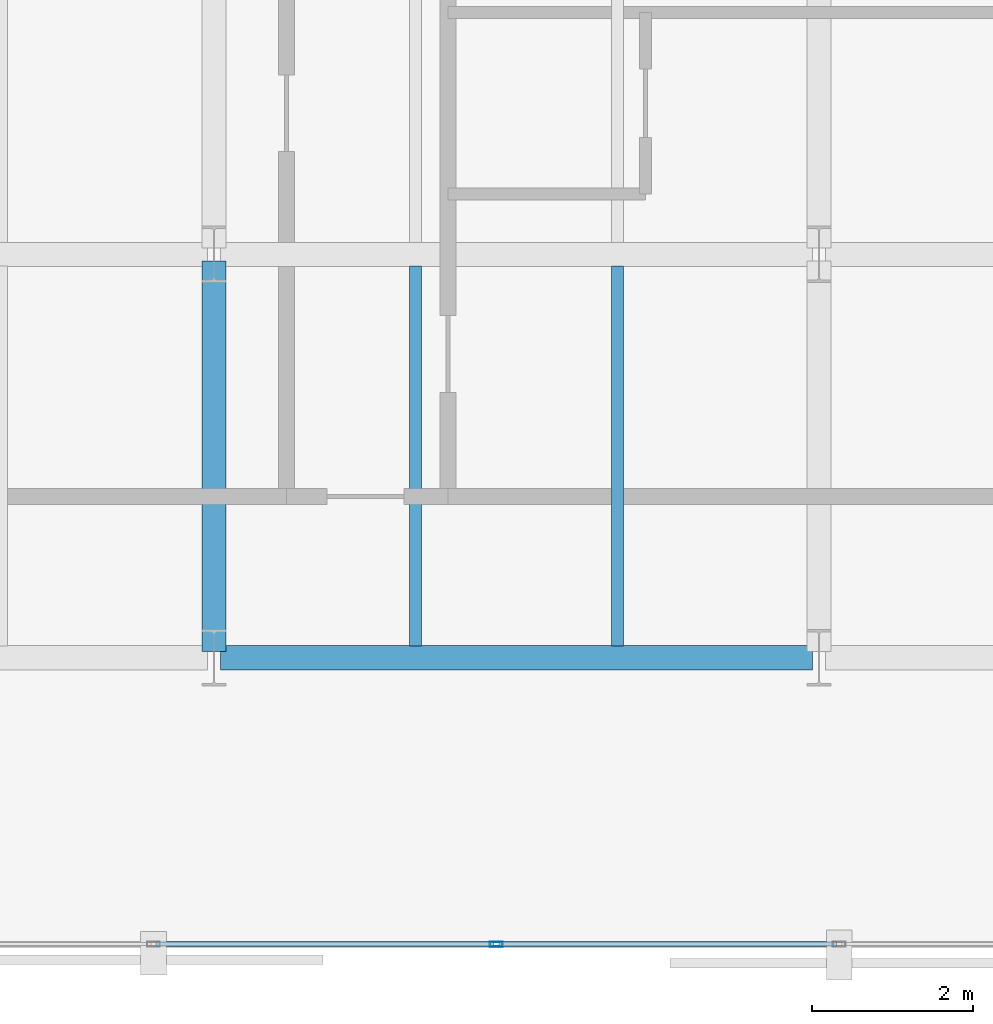
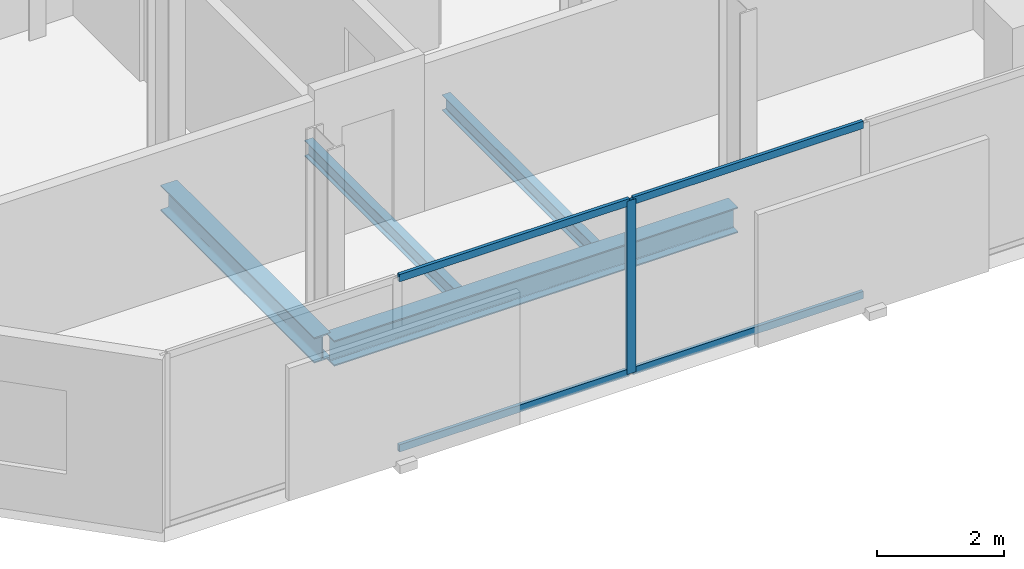
# One storey, part 4 of 34: 5 members, 4 beams, 1 element without a shape of its own.
"""IFC4 building model written with IfcOpenShell, lengths in metres."""

from ifc_helpers import new_model, si_unit, direction, frame, origin, origin_2d, place, context, subcontext, project, spatial, hollow_rectangle, i_section, extrude, material, layer, layer_set, material_profile, profile_set, type_object, element, aggregate, save


model = new_model("IFC4")

# Units and contexts
model_context = context("Model", 3, precision=1e-05, world=origin(), true_north=direction((0.0, 1.0)))
body_context = subcontext(model_context, "Body", "Model", "MODEL_VIEW")
ifc_project = project(units=[si_unit("LENGTHUNIT", "METRE"), si_unit("AREAUNIT", "SQUARE_METRE"), si_unit("VOLUMEUNIT", "CUBIC_METRE"), si_unit("PLANEANGLEUNIT", "RADIAN"), si_unit("MASSUNIT", "GRAM", prefix="KILO")], contexts=[model_context])

# Site, building, storey
site_placement = place(None, origin())
site = spatial("IfcSite", under=ifc_project, at=site_placement, CompositionType="ELEMENT")
building_placement = place(site_placement, origin())
building = spatial("IfcBuilding", under=site, at=building_placement, Name="Catumbela Crestline Tower", CompositionType="ELEMENT")
storey_placement = place(building_placement, frame((0.0, 0.0, 97.2)))
storey = spatial("IfcBuildingStorey", under=building, at=storey_placement, Name="L24", CompositionType="ELEMENT", Elevation=97.2)

# Beams
ifc_material_1 = material(Name="Structural steel S355J2", Category="steel")
ifc_material_profile_1 = material_profile(ifc_material_1, i_section(OverallWidth=0.3, OverallDepth=0.49, WebThickness=0.012, FlangeThickness=0.023, FilletRadius=0.027, at=origin_2d()), Name="HEA 500")
ifc_profile_set_1 = profile_set([ifc_material_profile_1], Name="Structural steel S355J2")
beam_type_1 = type_object("IfcBeamType", Name="BG-HEA500", PredefinedType="BEAM", material=ifc_profile_set_1)
beam_1_placement = place(storey_placement, frame((8.58, 8.6, -0.505), z_axis=(1.0, 0.0, 0.0), x_axis=(0.0, 1.0, 0.0)))
element("IfcBeam", 1, at=beam_1_placement, inside=storey, type_object=beam_type_1, Name="L24 Beam BM-L24-WEW44", PredefinedType="BEAM", context=body_context, shape_type="SweptSolid", body=[
    extrude(i_section(OverallWidth=0.3, OverallDepth=0.49, WebThickness=0.012, FlangeThickness=0.023, FilletRadius=0.027, at=origin_2d()), origin(), (0.0, 0.0, 1.0), 7.34),
])
beam_2_placement = place(storey_placement, frame((8.5, 8.68, -0.505), z_axis=(0.0, 1.0, 0.0), x_axis=(-1.0, 0.0, 0.0)))
element("IfcBeam", 2, at=beam_2_placement, inside=storey, type_object=beam_type_1, Name="L24 Beam BM-L24-WNS55", PredefinedType="BEAM", context=body_context, shape_type="SweptSolid", body=[
    extrude(i_section(OverallWidth=0.3, OverallDepth=0.49, WebThickness=0.012, FlangeThickness=0.023, FilletRadius=0.027, at=origin_2d()), origin(), (0.0, 0.0, 1.0), 4.84),
])
ifc_material_profile_2 = material_profile(ifc_material_1, i_section(OverallWidth=0.15, OverallDepth=0.3, WebThickness=0.0071, FlangeThickness=0.0107, FilletRadius=0.015, at=origin_2d()), Name="IPE 300")
ifc_profile_set_2 = profile_set([ifc_material_profile_2], Name="Structural steel S355J2")
beam_type_2 = type_object("IfcBeamType", Name="BJ-IPE300", PredefinedType="JOIST", material=ifc_profile_set_2)
for number, where, z_axis, x_axis, name in (
    (3, (11.0, 8.747, -0.41), (0.0, 1.0, 0.0), (-1.0, 0.0, 0.0), "L24 Joist JS-L24-WG65"),
    (4, (13.5, 8.747, -0.41), (0.0, 1.0, 0.0), (-1.0, 0.0, 0.0), "L24 Joist JS-L24-WG66"),
):
    element("IfcBeam", number, at=place(storey_placement, frame(where, z_axis=z_axis, x_axis=x_axis)), inside=storey, type_object=beam_type_2, Name=name, PredefinedType="JOIST", context=body_context, shape_type="SweptSolid", body=[
        extrude(i_section(OverallWidth=0.15, OverallDepth=0.3, WebThickness=0.0071, FlangeThickness=0.0107, FilletRadius=0.015, at=origin_2d()), origin(), (0.0, 0.0, 1.0), 4.706),
    ])

# Curtain wall, members
ifc_material_2 = material(Name="Aluminium alloy AW-6060-T66", Category="aluminium")
ifc_layer = layer(ifc_material_2, 0.18, Name="Aluminium alloy AW-6060-T66")
ifc_layer_set = layer_set([ifc_layer], Name="Aluminium alloy AW-6060-T66")
curtain_wall_type = type_object("IfcCurtainWallType", Name="CWU-Z2", PredefinedType="USERDEFINED", material=ifc_layer_set)
curtain_wall_placement = place(storey_placement, origin())
curtain_wall = element("IfcCurtainWall", 5, at=curtain_wall_placement, inside=storey, type_object=curtain_wall_type, Name="L24 Unitised Curtain Wall CW-L24-E0S1", ObjectType="UNITISED", PredefinedType="USERDEFINED")
ifc_material_profile_3 = material_profile(ifc_material_2, hollow_rectangle(XDim=0.06, YDim=0.16, WallThickness=0.004, at=origin_2d()), Name="ALU 160x60x4")
ifc_profile_set_3 = profile_set([ifc_material_profile_3], Name="Aluminium alloy AW-6060-T66")
member_type_1 = type_object("IfcMemberType", Name="MUL-160X60", PredefinedType="MULLION", material=ifc_profile_set_3)
member_1_placement = place(storey_placement, frame((12.0, 5.05, 0.0), z_axis=(0.0, 0.0, 1.0), x_axis=(0.0, 1.0, 0.0)))
member_1 = element("IfcMember", 6, at=member_1_placement, type_object=member_type_1, Name="CWU-Z2 mullion 3", PredefinedType="MULLION", context=body_context, shape_type="SweptSolid", body=[
    extrude(hollow_rectangle(XDim=0.06, YDim=0.16, WallThickness=0.004, at=origin_2d()), origin(), (0.0, 0.0, 1.0), 3.33),
])
ifc_material_profile_4 = material_profile(ifc_material_2, hollow_rectangle(XDim=0.06, YDim=0.14, WallThickness=0.004, at=origin_2d()), Name="ALU 140x60x4")
ifc_profile_set_4 = profile_set([ifc_material_profile_4], Name="Aluminium alloy AW-6060-T66")
member_type_2 = type_object("IfcMemberType", Name="TRN-140X60", PredefinedType="USERDEFINED", material=ifc_profile_set_4)
member_2_placement = place(storey_placement, frame((7.7825, 5.05, 0.03), z_axis=(1.0, 0.0, 0.0), x_axis=(0.0, 1.0, 0.0)))
member_2 = element("IfcMember", 7, at=member_2_placement, type_object=member_type_2, Name="CWU-Z2 transom 2.1", ObjectType="TRANSOM", PredefinedType="USERDEFINED", context=body_context, shape_type="SweptSolid", body=[
    extrude(hollow_rectangle(XDim=0.06, YDim=0.14, WallThickness=0.004, at=origin_2d()), origin(), (0.0, 0.0, 1.0), 4.185),
])
member_3_placement = place(storey_placement, frame((7.7825, 5.05, 3.3), z_axis=(1.0, 0.0, 0.0), x_axis=(0.0, 1.0, 0.0)))
member_3 = element("IfcMember", 8, at=member_3_placement, type_object=member_type_2, Name="CWU-Z2 transom 2.2", ObjectType="TRANSOM", PredefinedType="USERDEFINED", context=body_context, shape_type="SweptSolid", body=[
    extrude(hollow_rectangle(XDim=0.06, YDim=0.14, WallThickness=0.004, at=origin_2d()), origin(), (0.0, 0.0, 1.0), 4.185),
])
member_4_placement = place(storey_placement, frame((12.0325, 5.05, 0.03), z_axis=(1.0, 0.0, 0.0), x_axis=(0.0, 1.0, 0.0)))
member_4 = element("IfcMember", 9, at=member_4_placement, type_object=member_type_2, Name="CWU-Z2 transom 3.1", ObjectType="TRANSOM", PredefinedType="USERDEFINED", context=body_context, shape_type="SweptSolid", body=[
    extrude(hollow_rectangle(XDim=0.06, YDim=0.14, WallThickness=0.004, at=origin_2d()), origin(), (0.0, 0.0, 1.0), 4.185),
])
member_5_placement = place(storey_placement, frame((12.0325, 5.05, 3.3), z_axis=(1.0, 0.0, 0.0), x_axis=(0.0, 1.0, 0.0)))
member_5 = element("IfcMember", 10, at=member_5_placement, type_object=member_type_2, Name="CWU-Z2 transom 3.2", ObjectType="TRANSOM", PredefinedType="USERDEFINED", context=body_context, shape_type="SweptSolid", body=[
    extrude(hollow_rectangle(XDim=0.06, YDim=0.14, WallThickness=0.004, at=origin_2d()), origin(), (0.0, 0.0, 1.0), 4.185),
])
aggregate(curtain_wall, [member_1, member_2, member_3, member_4, member_5])

save(model, "model.ifc")
